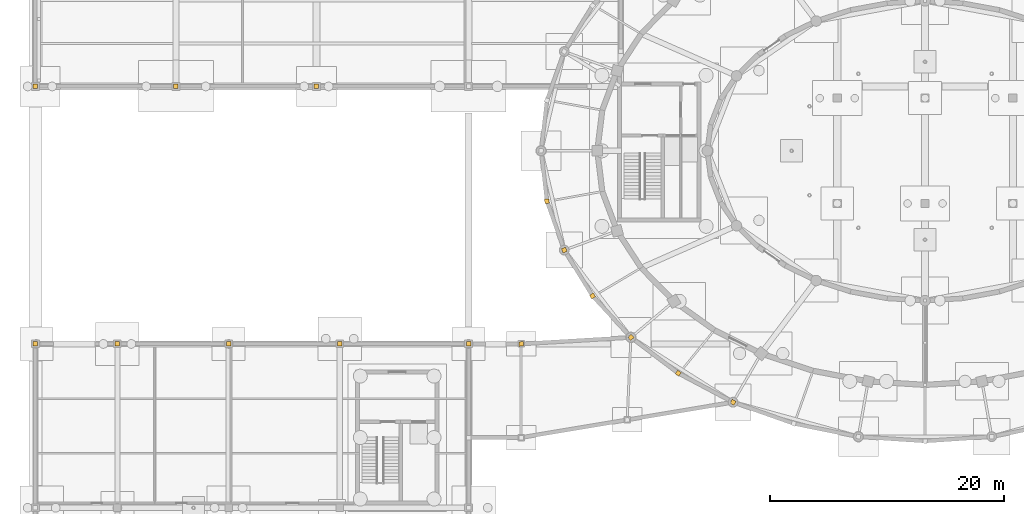
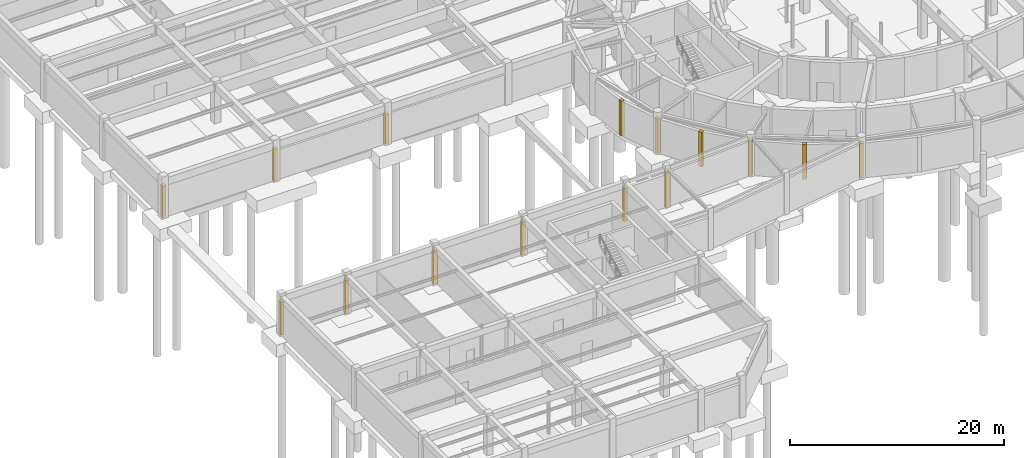
# One storey, part 34 of 42: 15 coverings.
"""IFC4 building model written with IfcOpenShell, lengths in metres."""

from ifc_helpers import new_model, si_unit, direction, frame, origin, origin_2d, place, context, subcontext, project, spatial, rectangle, extrude, material, layer, layer_set, type_object, element, save


model = new_model("IFC4")

# Units and contexts
model_context = context("Model", 3, precision=1e-05, world=origin(), true_north=direction((0.0, 1.0)))
body_context = subcontext(model_context, "Body", "Model", "MODEL_VIEW")
ifc_project = project(units=[si_unit("LENGTHUNIT", "METRE"), si_unit("AREAUNIT", "SQUARE_METRE"), si_unit("VOLUMEUNIT", "CUBIC_METRE"), si_unit("PLANEANGLEUNIT", "RADIAN"), si_unit("MASSUNIT", "GRAM", prefix="KILO")], contexts=[model_context])

# Site, building, storey
site_placement = place(None, origin())
site = spatial("IfcSite", under=ifc_project, at=site_placement, CompositionType="ELEMENT")
building_placement = place(site_placement, origin())
building = spatial("IfcBuilding", under=site, at=building_placement, Name="Tarnveldt Headland Concert Hall", CompositionType="ELEMENT")
storey_placement = place(building_placement, frame((0.0, 0.0, -4.800048828125)))
storey = spatial("IfcBuildingStorey", under=building, at=storey_placement, Name="B1", CompositionType="ELEMENT", Elevation=-4.800048828125)

# Coverings
ifc_material = material(Name="Coral-toned precast concrete C40/50", Category="concrete")
ifc_layer = layer(ifc_material, 0.360107421875, Name="Coral-toned precast concrete C40/50", Category="concrete")
ifc_layer_set = layer_set([ifc_layer], Name="Coral-toned precast concrete C40/50")
covering_type = type_object("IfcCoveringType", Name="CV-JNT360", PredefinedType="CLADDING", material=ifc_layer_set)
covering_1_placement = place(storey_placement, frame((7.5, 38.0, 0.0), z_axis=(0.0, 0.0, 1.0), x_axis=(1.0, 0.0, 0.0)))
element("IfcCovering", 1, at=covering_1_placement, inside=storey, type_object=covering_type, Name="Precast facade joint closure pilaster B1-4", PredefinedType="CLADDING", context=body_context, shape_type="SweptSolid", body=[
    extrude(rectangle(XDim=0.3798828125, YDim=0.3798828125, at=origin_2d()), origin(), (0.0, 0.0, 1.0), 3.738037109375),
])
covering_2_placement = place(storey_placement, frame((7.5, 60.0, 0.0), z_axis=(0.0, 0.0, 1.0), x_axis=(-1.0, 0.0, 0.0)))
element("IfcCovering", 2, at=covering_2_placement, inside=storey, type_object=covering_type, Name="Precast facade joint closure pilaster B1-5", PredefinedType="CLADDING", context=body_context, shape_type="SweptSolid", body=[
    extrude(rectangle(XDim=0.3798828125, YDim=0.3798828125, at=origin_2d()), origin(), (0.0, 0.0, 1.0), 3.637939453125),
])
covering_3_placement = place(storey_placement, frame((14.5, 38.0, 0.0), z_axis=(0.0, 0.0, 1.0), x_axis=(1.0, 0.0, 0.0)))
element("IfcCovering", 3, at=covering_3_placement, inside=storey, type_object=covering_type, Name="Precast facade joint closure pilaster B1-10", PredefinedType="CLADDING", context=body_context, shape_type="SweptSolid", body=[
    extrude(rectangle(XDim=0.3798828125, YDim=0.3798828125, at=origin_2d()), origin(), (0.0, 0.0, 1.0), 3.738037109375),
])
covering_4_placement = place(storey_placement, frame((19.5, 60.0, 0.0), z_axis=(0.0, 0.0, 1.0), x_axis=(-1.0, 0.0, 0.0)))
element("IfcCovering", 4, at=covering_4_placement, inside=storey, type_object=covering_type, Name="Precast facade joint closure pilaster B1-11", PredefinedType="CLADDING", context=body_context, shape_type="SweptSolid", body=[
    extrude(rectangle(XDim=0.3798828125, YDim=0.3798828125, at=origin_2d()), origin(), (0.0, 0.0, 1.0), 3.637939453125),
])
covering_5_placement = place(storey_placement, frame((24.0, 38.0, 0.0), z_axis=(0.0, 0.0, 1.0), x_axis=(1.0, 0.0, 0.0)))
element("IfcCovering", 5, at=covering_5_placement, inside=storey, type_object=covering_type, Name="Precast facade joint closure pilaster B1-16", PredefinedType="CLADDING", context=body_context, shape_type="SweptSolid", body=[
    extrude(rectangle(XDim=0.3798828125, YDim=0.3798828125, at=origin_2d()), origin(), (0.0, 0.0, 1.0), 3.738037109375),
])
covering_6_placement = place(storey_placement, frame((31.5, 60.0, 0.0), z_axis=(0.0, 0.0, 1.0), x_axis=(-1.0, 0.0, 0.0)))
element("IfcCovering", 6, at=covering_6_placement, inside=storey, type_object=covering_type, Name="Precast facade joint closure pilaster B1-17", PredefinedType="CLADDING", context=body_context, shape_type="SweptSolid", body=[
    extrude(rectangle(XDim=0.3798828125, YDim=0.3798828125, at=origin_2d()), origin(), (0.0, 0.0, 1.0), 3.387939453125),
])
for number, where, z_axis, x_axis, name in (
    (7, (33.5, 38.0, 0.0), (0.0, 0.0, 1.0), (1.0, 0.0, 0.0), "Precast facade joint closure pilaster B1-20"),
    (8, (44.5, 38.0, 0.0), (0.0, 0.0, 1.0), (0.0, -1.0, 0.0), "Precast facade joint closure pilaster B1-25"),
):
    element("IfcCovering", number, at=place(storey_placement, frame(where, z_axis=z_axis, x_axis=x_axis)), inside=storey, type_object=covering_type, Name=name, PredefinedType="CLADDING", context=body_context, shape_type="SweptSolid", body=[
        extrude(rectangle(XDim=0.3798828125, YDim=0.3798828125, at=origin_2d()), origin(), (0.0, 0.0, 1.0), 3.738037109375),
    ])
for number, where, z_axis, x_axis, name in (
    (9, (49.0, 38.0, 0.0), (0.0, 0.0, 1.0), (0.998229461805, 0.059480598389, 0.0), "Precast facade joint closure pilaster B1-29"),
    (10, (51.1982421875, 50.193603515625, 0.0), (0.0, 0.0, 1.0), (-0.114937150493, 0.9933727656, 0.0), "Precast facade joint closure pilaster B1-31"),
    (11, (52.677978515625, 46.017822265625, 0.0), (0.0, 0.0, 1.0), (-0.333971376126, 0.942583216448, 0.0), "Precast facade joint closure pilaster B1-33"),
    (12, (55.094482421875, 42.10009765625, 0.0), (0.0, 0.0, 1.0), (-0.524877544859, 0.851177750474, 0.0), "Precast facade joint closure pilaster B1-36"),
    (13, (58.373779296875, 38.558837890625, 0.0), (0.0, 0.0, 1.0), (-0.679441304262, 0.733729864503, 0.0), "Precast facade joint closure pilaster B1-45"),
    (14, (62.41650390625, 35.502197265625, 0.0), (0.0, 0.0, 1.0), (-0.797689196331, 0.603068773902, 0.0), "Precast facade joint closure pilaster B1-47"),
    (15, (67.10009765625, 33.022705078125, 0.0), (0.0, 0.0, 1.0), (-0.883765630089, 0.467929814261, 0.0), "Precast facade joint closure pilaster B1-49"),
):
    element("IfcCovering", number, at=place(storey_placement, frame(where, z_axis=z_axis, x_axis=x_axis)), inside=storey, type_object=covering_type, Name=name, PredefinedType="CLADDING", context=body_context, shape_type="SweptSolid", body=[
        extrude(rectangle(XDim=0.3798828125, YDim=0.3798828125, at=origin_2d()), origin(), (0.0, 0.0, 1.0), 3.949951171875),
    ])

save(model, "model.ifc")
